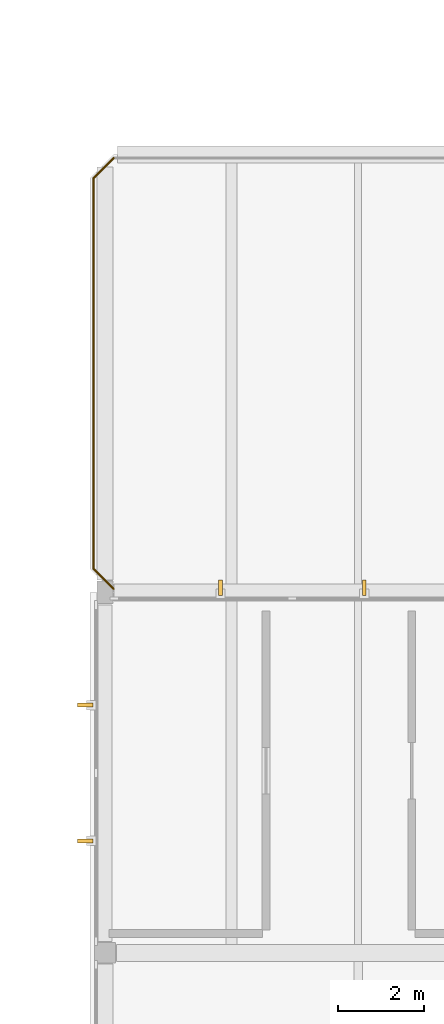
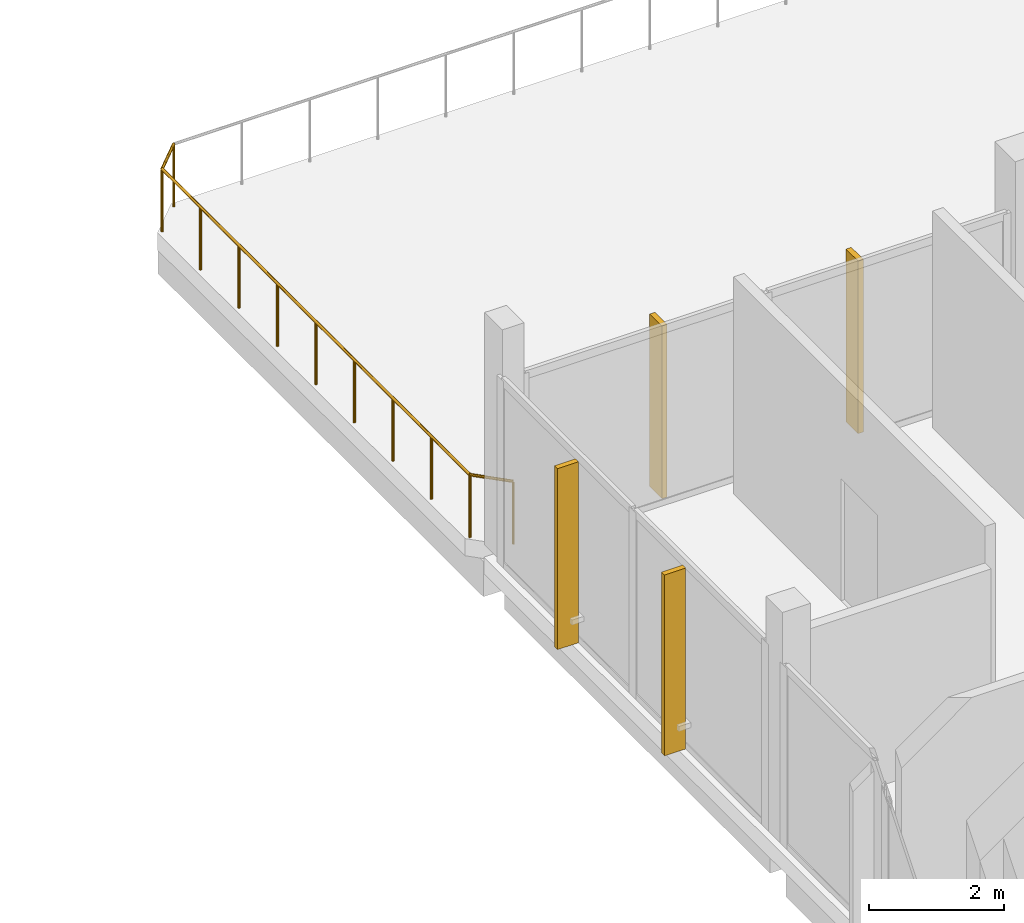
# One storey, part 39 of 41: 4 shading devices, 3 railings.
"""IFC4 building model written with IfcOpenShell, lengths in metres."""

import ifcopenshell
import ifcopenshell.guid

model = None  # the IFC model being written
_history = None  # IfcOwnerHistory: only IFC2X3 demands one
_inside = {}  # id of a spatial element -> (the spatial element, [elements in it])
_under = {}  # id of a project, library or spatial element -> (it, [spatial elements below it])
_declared = {}  # id of a project -> (the project, [libraries it declares])
_typed = {}  # id of a type object -> (the type object, [elements of that type])
_made_of = {}  # id of a material, layer set ... -> (it, [elements and type objects made of it])


def new_model(schema):
    """Start an empty IFC model of exactly this schema.

    Asked for "IFC4X3", IfcOpenShell would pick the latest addendum, in which some entities
    have other attributes; the version numbers below select the first issue.
    IFC2X3 requires an IfcOwnerHistory on every rooted entity: one is made here for all.
    """
    global model, _history
    if schema == "IFC4X3":
        model = ifcopenshell.file(schema_version=(4, 3, 0, 0))
    else:
        model = ifcopenshell.file(schema=schema)
    _inside.clear()
    _under.clear()
    _declared.clear()
    _typed.clear()
    _made_of.clear()
    _history = None
    if model.schema == "IFC2X3":
        org = make("IfcOrganization", Name="unknown")
        user = make(
            "IfcPersonAndOrganization",
            ThePerson=make("IfcPerson", FamilyName="unknown"),
            TheOrganization=org,
        )
        app = make(
            "IfcApplication",
            ApplicationDeveloper=org,
            Version="unknown",
            ApplicationFullName="unknown",
            ApplicationIdentifier="unknown",
        )
        _history = make(
            "IfcOwnerHistory",
            OwningUser=user,
            OwningApplication=app,
            ChangeAction="ADDED",
            CreationDate=0,
        )
    return model


def make(cls, **values):
    """One entity of the class cls with the attributes given. An attribute that is None is left unset."""
    return model.create_entity(
        cls, **{name: value for name, value in values.items() if value is not None}
    )


def rooted(cls, **values):
    """An entity with a GlobalId (a new one), such as an element, a storey or a relation."""
    return make(cls, GlobalId=ifcopenshell.guid.new(), OwnerHistory=_history, **values)


def si_unit(unit_type, name, prefix=None):
    """IfcSIUnit, for example si_unit("LENGTHUNIT", "METRE", prefix="MILLI")."""
    return make("IfcSIUnit", UnitType=unit_type, Prefix=prefix, Name=name)


def assignment(units):
    """IfcUnitAssignment: the units of a project."""
    return None if units is None else make("IfcUnitAssignment", Units=units)


def point(xyz):
    """IfcCartesianPoint."""
    return None if xyz is None else make("IfcCartesianPoint", Coordinates=xyz)


def direction(xyz):
    """IfcDirection."""
    return None if xyz is None else make("IfcDirection", DirectionRatios=xyz)


def frame(location, z_axis=None, x_axis=None):
    """IfcAxis2Placement3D, a coordinate frame: its origin and axes. An axis left out is left unset."""
    return make(
        "IfcAxis2Placement3D",
        Location=point(location),
        Axis=direction(z_axis),
        RefDirection=direction(x_axis),
    )


def frame_2d(location, x_axis=None):
    """IfcAxis2Placement2D, a coordinate frame in the plane: its origin and x axis."""
    return make(
        "IfcAxis2Placement2D", Location=point(location), RefDirection=direction(x_axis)
    )


def origin():
    """The frame at (0, 0, 0) with its axes left unset."""
    return frame((0.0, 0.0, 0.0))


def origin_2d():
    """The frame at (0, 0) in the plane with its x axis left unset."""
    return frame_2d((0.0, 0.0))


def place(relative_to, where):
    """IfcLocalPlacement: puts the frame where relative to a parent placement (None: the world)."""
    return make(
        "IfcLocalPlacement", PlacementRelTo=relative_to, RelativePlacement=where
    )


def context(
    kind, dimensions, precision=None, world=None, true_north=None, identifier=None
):
    """IfcGeometricRepresentationContext, for example the 3D "Model" context."""
    return make(
        "IfcGeometricRepresentationContext",
        ContextIdentifier=identifier,
        ContextType=kind,
        CoordinateSpaceDimension=dimensions,
        Precision=precision,
        WorldCoordinateSystem=world,
        TrueNorth=true_north,
    )


def subcontext(parent, identifier, kind, view, scale=None):
    """IfcGeometricRepresentationSubContext, for example "Body" below "Model"."""
    return make(
        "IfcGeometricRepresentationSubContext",
        ContextIdentifier=identifier,
        ContextType=kind,
        ParentContext=parent,
        TargetScale=scale,
        TargetView=view,
    )


def project(units=None, contexts=None):
    """IfcProject with its units and contexts."""
    return rooted(
        "IfcProject",
        Name="project",
        RepresentationContexts=contexts,
        UnitsInContext=assignment(units),
    )


def spatial(cls, under=None, at=None, **own):
    """A site, building, storey or space (cls), placed at a placement, below another one or the project."""
    s = rooted(cls, ObjectPlacement=at, **own)
    if under is not None:
        _under.setdefault(under.id(), (under, []))[1].append(s)
    return s


def profile(cls, at=None, kind="AREA", **sizes):
    """A parametric profile (cls). Its sizes go by their IFC names, for example OverallWidth=200.0."""
    return make(cls, ProfileType=kind, Position=at, **sizes)


def rectangle(**sizes):
    """IfcRectangleProfileDef."""
    return profile("IfcRectangleProfileDef", **sizes)


def circle(**sizes):
    """IfcCircleProfileDef."""
    return profile("IfcCircleProfileDef", **sizes)


def extrude(swept, where, along, depth):
    """IfcExtrudedAreaSolid: the profile swept, set in the frame where, extruded along a direction by depth."""
    return make(
        "IfcExtrudedAreaSolid",
        SweptArea=swept,
        Position=where,
        ExtrudedDirection=direction(along),
        Depth=depth,
    )


def shape(context_of_items, identifier, shape_type, items):
    """IfcShapeRepresentation: the items that make up one representation, for example the "Body"."""
    return make(
        "IfcShapeRepresentation",
        ContextOfItems=context_of_items,
        RepresentationIdentifier=identifier,
        RepresentationType=shape_type,
        Items=items,
    )


def material(Name=None, Category=None):
    """IfcMaterial."""
    return make("IfcMaterial", Name=Name, Category=Category)


def made_of(thing, what):
    """Note that an element or type object is made of a material, layer set ...; save() writes the relation."""
    if what is not None:
        _made_of.setdefault(what.id(), (what, []))[1].append(thing)
    return thing


def type_object(cls, material=None, **own):
    """A type object (cls), such as IfcWallType, which elements share."""
    return made_of(rooted(cls, **own), material)


def element(
    cls,
    number,
    at=None,
    inside=None,
    cuts=None,
    type_object=None,
    material=None,
    context=None,
    identifier="Body",
    shape_type=None,
    held_by="IfcProductDefinitionShape",
    body=None,
    shapes=None,
    **own,
):
    """One element of the class cls, such as IfcWall. Its Tag is "e" and its number.

    at: its placement. inside: the storey or other place that contains it. cuts: it is an
    opening in that element (IfcRelVoidsElement). A single representation is given by context,
    identifier, shape_type and body (its items); several are given by shapes. held_by: the class
    of the entity that holds the representations. save() writes the other relations.
    """
    e = rooted(cls, Tag="e%d" % number, ObjectPlacement=at, **own)
    if body is not None:
        shapes = [shape(context, identifier, shape_type, body)]
    if shapes is not None:
        e.Representation = make(held_by, Representations=shapes)
    if inside is not None:
        _inside.setdefault(inside.id(), (inside, []))[1].append(e)
    if cuts is not None:
        rooted(
            "IfcRelVoidsElement", RelatingBuildingElement=cuts, RelatedOpeningElement=e
        )
    if type_object is not None:
        _typed.setdefault(type_object.id(), (type_object, []))[1].append(e)
    return made_of(e, material)


def aggregate(whole, parts):
    """IfcRelAggregates: a whole, such as a stair, and the parts it consists of."""
    return rooted("IfcRelAggregates", RelatingObject=whole, RelatedObjects=parts)


def save(model, path):
    """Write the relations noted so far, then the file.

    IfcRelAggregates (storeys below a building ...), IfcRelContainedInSpatialStructure (elements
    in a storey), IfcRelDefinesByType, IfcRelAssociatesMaterial and IfcRelDeclares: one each for
    every whole, place, type object, material and project.
    """
    for whole, parts in _under.values():
        aggregate(whole, parts)
    for where, things in _inside.values():
        rooted(
            "IfcRelContainedInSpatialStructure",
            RelatedElements=things,
            RelatingStructure=where,
        )
    for kind, things in _typed.values():
        rooted("IfcRelDefinesByType", RelatedObjects=things, RelatingType=kind)
    for what, things in _made_of.values():
        rooted("IfcRelAssociatesMaterial", RelatedObjects=things, RelatingMaterial=what)
    for by, libraries in _declared.values():
        rooted("IfcRelDeclares", RelatingContext=by, RelatedDefinitions=libraries)
    model.write(path)


model = new_model("IFC4")

# Units and contexts
model_context = context("Model", 3, precision=1e-05, world=origin(), true_north=direction((0.0, 1.0)))
body_context = subcontext(model_context, "Body", "Model", "MODEL_VIEW")
ifc_project = project(units=[si_unit("LENGTHUNIT", "METRE"), si_unit("AREAUNIT", "SQUARE_METRE"), si_unit("VOLUMEUNIT", "CUBIC_METRE"), si_unit("PLANEANGLEUNIT", "RADIAN"), si_unit("MASSUNIT", "GRAM", prefix="KILO")], contexts=[model_context])

# Site, building, storey
site_placement = place(None, origin())
site = spatial("IfcSite", under=ifc_project, at=site_placement, CompositionType="ELEMENT")
building_placement = place(site_placement, origin())
building = spatial("IfcBuilding", under=site, at=building_placement, Name="Birchvale Park Specialist Clinic", CompositionType="ELEMENT")
storey_placement = place(building_placement, frame((0.0, 0.0, 9.60009765625)))
storey = spatial("IfcBuildingStorey", under=building, at=storey_placement, Name="L02", CompositionType="ELEMENT", Elevation=9.60009765625)

# Railings
ifc_material_1 = material(Name="Brushed stainless steel and laminated glass balustrade", Category="steel")
railing_type = type_object("IfcRailingType", Name="RL-BAL2", PredefinedType="BALUSTRADE", material=ifc_material_1)
railing_1_placement = place(storey_placement, frame((128.550048828125, 101.320068359375, 0.0)))
element("IfcRailing", 1, at=railing_1_placement, inside=storey, type_object=railing_type, Name="V6 L02 roof terrace guard balustrade 56", PredefinedType="BALUSTRADE", context=body_context, shape_type="SweptSolid", body=[
    extrude(circle(Radius=0.02392578125, at=origin_2d()), frame((0.0, 0.0, 1.1259765625), z_axis=(-0.707106781187, -0.707106781187, 0.0), x_axis=(0.707106781187, -0.707106781187, 0.0)), (0.0, 0.0, 1.0), 0.66455078125),
    extrude(circle(Radius=0.02099609375, at=origin_2d()), origin(), (0.0, 0.0, 1.0), 1.101806640625),
    extrude(circle(Radius=0.02099609375, at=origin_2d()), frame((-0.469970703125, -0.469970703125, 0.0)), (0.0, 0.0, 1.0), 1.101806640625),
])
railing_2_placement = place(storey_placement, frame((128.080078125, 100.85009765625, 0.0)))
element("IfcRailing", 2, at=railing_2_placement, inside=storey, type_object=railing_type, Name="V6 L02 roof terrace guard balustrade 57", PredefinedType="BALUSTRADE", context=body_context, shape_type="SweptSolid", body=[
    extrude(circle(Radius=0.02392578125, at=origin_2d()), frame((0.0, 0.0, 1.1259765625), z_axis=(0.0, -1.0, 0.0), x_axis=(1.0, 0.0, 0.0)), (0.0, 0.0, 1.0), 9.10009765625),
    extrude(circle(Radius=0.02099609375, at=origin_2d()), origin(), (0.0, 0.0, 1.0), 1.101806640625),
    extrude(circle(Radius=0.02099609375, at=origin_2d()), frame((0.0, -1.137451171875, 0.0)), (0.0, 0.0, 1.0), 1.101806640625),
    extrude(circle(Radius=0.02099609375, at=origin_2d()), frame((0.0, -2.27490234375, 0.0)), (0.0, 0.0, 1.0), 1.101806640625),
    extrude(circle(Radius=0.02099609375, at=origin_2d()), frame((0.0, -3.41259765625, 0.0)), (0.0, 0.0, 1.0), 1.101806640625),
    extrude(circle(Radius=0.02099609375, at=origin_2d()), frame((0.0, -4.550048828125, 0.0)), (0.0, 0.0, 1.0), 1.101806640625),
    extrude(circle(Radius=0.02099609375, at=origin_2d()), frame((0.0, -5.6875, 0.0)), (0.0, 0.0, 1.0), 1.101806640625),
    extrude(circle(Radius=0.02099609375, at=origin_2d()), frame((0.0, -6.8251953125, 0.0)), (0.0, 0.0, 1.0), 1.101806640625),
    extrude(circle(Radius=0.02099609375, at=origin_2d()), frame((0.0, -7.962646484375, 0.0)), (0.0, 0.0, 1.0), 1.101806640625),
    extrude(circle(Radius=0.02099609375, at=origin_2d()), frame((0.0, -9.10009765625, 0.0)), (0.0, 0.0, 1.0), 1.101806640625),
])
railing_3_placement = place(storey_placement, frame((128.080078125, 91.75, 0.0)))
element("IfcRailing", 3, at=railing_3_placement, inside=storey, type_object=railing_type, Name="V6 L02 roof terrace guard balustrade 58", PredefinedType="BALUSTRADE", context=body_context, shape_type="SweptSolid", body=[
    extrude(circle(Radius=0.02392578125, at=origin_2d()), frame((0.0, 0.0, 1.1259765625), z_axis=(0.707106781187, -0.707106781187, 0.0), x_axis=(0.707106781187, 0.707106781187, 0.0)), (0.0, 0.0, 1.0), 0.66455078125),
    extrude(circle(Radius=0.02099609375, at=origin_2d()), origin(), (0.0, 0.0, 1.0), 1.101806640625),
    extrude(circle(Radius=0.02099609375, at=origin_2d()), frame((0.469970703125, -0.469970703125, 0.0)), (0.0, 0.0, 1.0), 1.101806640625),
])

# Shading devices
ifc_material_2 = material(Name="Glulam GL28h", Category="wood")
shading_device_type = type_object("IfcShadingDeviceType", Name="SHD-FIN1", PredefinedType="USERDEFINED", material=ifc_material_2)
for number, where, z_axis, x_axis, name in (
    (4, (134.392578125, 91.304931640625, 0.0498046875), (0.0, 0.0, 1.0), (0.0, 1.0, 0.0), "V6 L02 glulam solar fin 40"),
    (5, (131.04248046875, 91.304931640625, 0.0498046875), (0.0, 0.0, 1.0), (0.0, 1.0, 0.0), "V6 L02 glulam solar fin 41"),
):
    element("IfcShadingDevice", number, at=place(storey_placement, frame(where, z_axis=z_axis, x_axis=x_axis)), inside=storey, type_object=shading_device_type, Name=name, ObjectType="FIN", PredefinedType="USERDEFINED", context=body_context, shape_type="SweptSolid", body=[
        extrude(rectangle(XDim=0.360107421875, YDim=0.090087890625, at=origin_2d()), origin(), (0.0, 0.0, 1.0), 3.114990234375),
    ])
for number, where, z_axis, x_axis, name in (
    (6, (127.89501953125, 88.572021484375, 0.0498046875), (0.0, 0.0, 1.0), (1.0, 0.0, 0.0), "V6 L02 glulam solar fin 42"),
    (7, (127.89501953125, 85.407958984375, 0.0498046875), (0.0, 0.0, 1.0), (1.0, 0.0, 0.0), "V6 L02 glulam solar fin 43"),
):
    element("IfcShadingDevice", number, at=place(storey_placement, frame(where, z_axis=z_axis, x_axis=x_axis)), inside=storey, type_object=shading_device_type, Name=name, ObjectType="FIN", PredefinedType="USERDEFINED", context=body_context, shape_type="SweptSolid", body=[
        extrude(rectangle(XDim=0.360107421875, YDim=0.090087890625, at=origin_2d()), origin(), (0.0, 0.0, 1.0), 3.264892578125),
    ])

save(model, "model.ifc")
